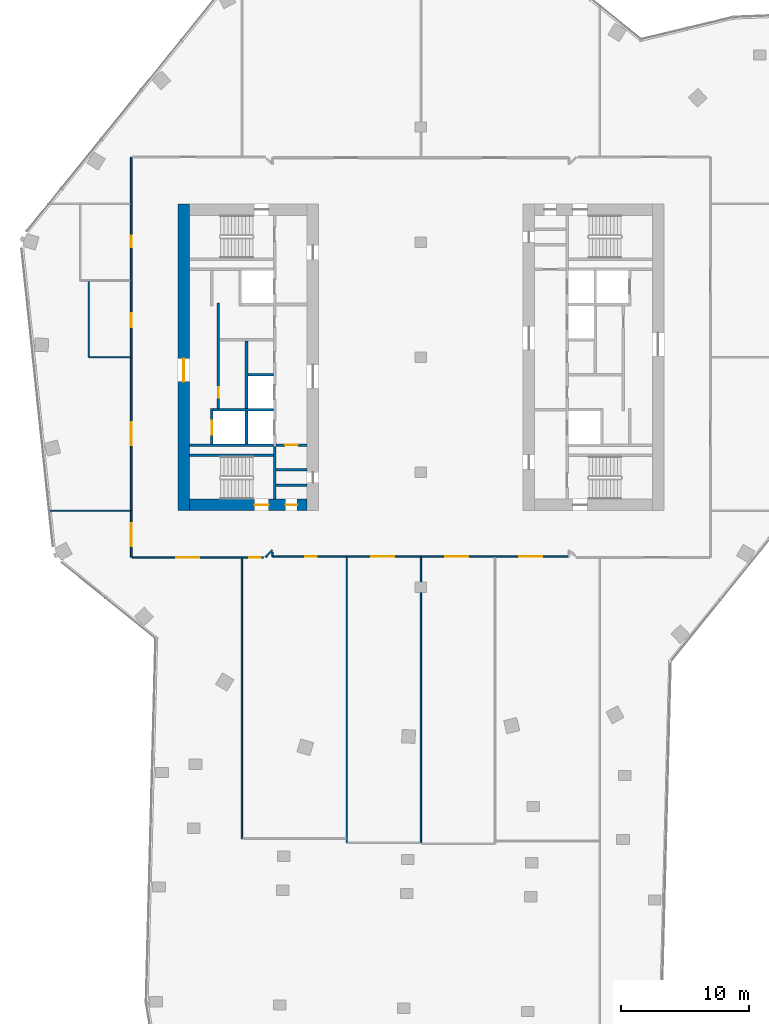
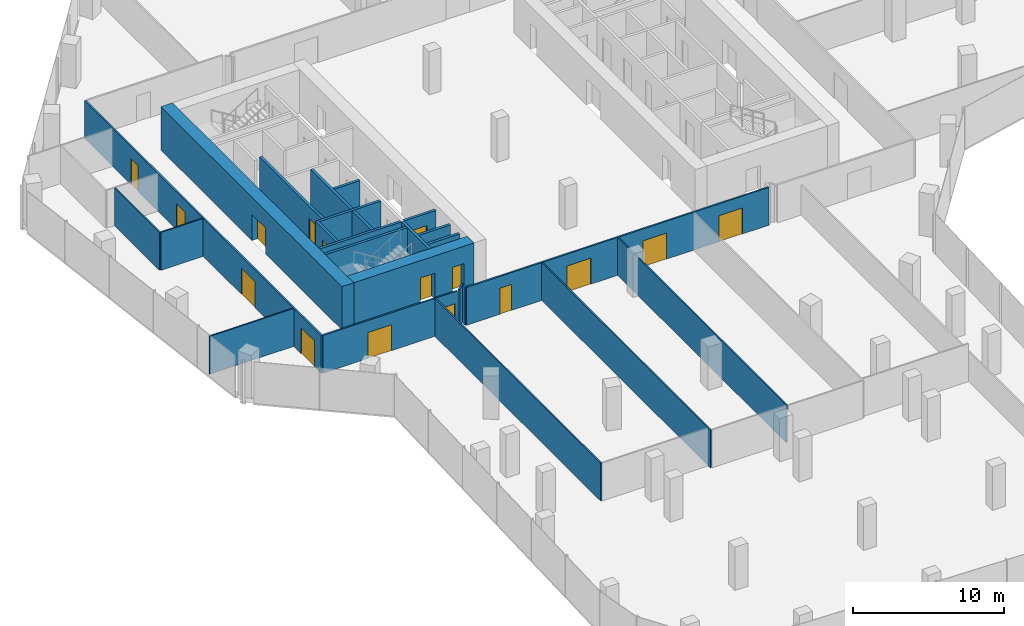
# One storey, part 20 of 26: 25 walls, 16 doors, 16 openings.
"""IFC4 building model written with IfcOpenShell, lengths in metres."""

from ifc_helpers import new_model, si_unit, direction, frame, frame_2d, origin, place, context, subcontext, project, spatial, rectangle, extrude, material, layer, layer_set, type_object, element, fill, save


model = new_model("IFC4")

# Units and contexts
model_context = context("Model", 3, precision=1e-05, world=origin(), true_north=direction((0.0, 1.0)))
body_context = subcontext(model_context, "Body", "Model", "MODEL_VIEW")
ifc_project = project(units=[si_unit("LENGTHUNIT", "METRE"), si_unit("AREAUNIT", "SQUARE_METRE"), si_unit("VOLUMEUNIT", "CUBIC_METRE"), si_unit("PLANEANGLEUNIT", "RADIAN"), si_unit("MASSUNIT", "GRAM", prefix="KILO")], contexts=[model_context])

# Site, building, storey
site_placement = place(None, origin())
site = spatial("IfcSite", under=ifc_project, at=site_placement, CompositionType="ELEMENT")
building_placement = place(site_placement, origin())
building = spatial("IfcBuilding", under=site, at=building_placement, Name="Orlundy Tower", CompositionType="ELEMENT")
storey_placement = place(building_placement, frame((0.0, 0.0, 214.0)))
storey = spatial("IfcBuildingStorey", under=building, at=storey_placement, Name="L56", CompositionType="ELEMENT", Elevation=214.0)

# Wall, openings, doors
ifc_material_1 = material(Name="Concrete C60/75", Category="concrete")
ifc_layer_1 = layer(ifc_material_1, 0.89990234375)
ifc_layer_set_1 = layer_set([ifc_layer_1], Name="CORE WALL 900 C60/75")
wall_type_1 = type_object("IfcWallType", Name="CORE WALL 900 C60/75", PredefinedType="SHEAR", material=ifc_layer_set_1)
wall_1_placement = place(storey_placement, frame((-18.10009765625, -11.550048828125, 0.0), z_axis=(0.0, 0.0, 1.0), x_axis=(1.0, 0.0, 0.0)))
wall_1 = element("IfcWall", 1, at=wall_1_placement, inside=storey, type_object=wall_type_1, Name="Core wall W-S L56", PredefinedType="SHEAR", context=body_context, shape_type="SweptSolid", body=[
    extrude(rectangle(XDim=9.2001953125, YDim=0.89990234375, at=frame_2d((4.60009765625, 0.0))), origin(), (0.0, 0.0, 1.0), 3.5),
])
opening_1_placement = place(wall_1_placement, frame((5.10009765625, 0.0, 0.0)))
opening_1 = element("IfcOpeningElement", 2, at=opening_1_placement, cuts=wall_1, Name="Opening 43012", PredefinedType="OPENING", context=body_context, shape_type="SweptSolid", body=[
    extrude(rectangle(XDim=1.10009765625, YDim=2.10009765625, at=frame_2d((0.550048828125, 1.050048828125))), frame((0.0, 0.4599609375, 0.0), z_axis=(0.0, -1.0, 0.0), x_axis=(1.0, 0.0, 0.0)), (0.0, 0.0, 1.0), 0.919921875),
])
opening_2_placement = place(wall_1_placement, frame((7.530029296875, 0.0, 0.0)))
opening_2 = element("IfcOpeningElement", 3, at=opening_2_placement, cuts=wall_1, Name="Opening 43014", PredefinedType="OPENING", context=body_context, shape_type="SweptSolid", body=[
    extrude(rectangle(XDim=0.89990234375, YDim=2.10009765625, at=frame_2d((0.449951171875, 1.050048828125))), frame((0.0, 0.4599609375, 0.0), z_axis=(0.0, -1.0, 0.0), x_axis=(1.0, 0.0, 0.0)), (0.0, 0.0, 1.0), 0.919921875),
])
ifc_material_2 = material(Name="Timber door set", Category="wood")
door_type_1 = type_object("IfcDoorType", Name="Room Door 900x2100", OperationType="SINGLE_SWING_LEFT", PredefinedType="DOOR", material=ifc_material_2)
door_1_placement = place(opening_2_placement, origin())
door_1 = element("IfcDoor", 4, at=door_1_placement, inside=storey, type_object=door_type_1, Name="Store door 43014", OperationType="SINGLE_SWING_RIGHT", OverallHeight=2.10009765625, OverallWidth=0.89990234375, PredefinedType="DOOR", context=body_context, shape_type="SweptSolid", body=[
    extrude(rectangle(XDim=0.89990234375, YDim=2.10009765625, at=frame_2d((0.449951171875, 1.050048828125))), frame((0.0, 0.02490234375, 0.0), z_axis=(0.0, -1.0, 0.0), x_axis=(1.0, 0.0, 0.0)), (0.0, 0.0, 1.0), 0.050048828125),
])
fill(opening_2, door_1)
ifc_material_3 = material(Name="Steel door set", Category="steel")
door_type_2 = type_object("IfcDoorType", Name="Stair Door 1100x2100", OperationType="SINGLE_SWING_LEFT", PredefinedType="DOOR", material=ifc_material_3)
door_2_placement = place(opening_1_placement, origin())
door_2 = element("IfcDoor", 5, at=door_2_placement, inside=storey, type_object=door_type_2, Name="Stair door 43012", OperationType="SINGLE_SWING_RIGHT", OverallHeight=2.10009765625, OverallWidth=1.10009765625, PredefinedType="DOOR", context=body_context, shape_type="SweptSolid", body=[
    extrude(rectangle(XDim=1.10009765625, YDim=2.10009765625, at=frame_2d((0.550048828125, 1.050048828125))), frame((0.0, 0.02490234375, 0.0), z_axis=(0.0, -1.0, 0.0), x_axis=(1.0, 0.0, 0.0)), (0.0, 0.0, 1.0), 0.050048828125),
])
fill(opening_1, door_2)

# Wall, opening, door
wall_2_placement = place(storey_placement, frame((-18.550048828125, -12.0, 0.0), z_axis=(0.0, 0.0, 1.0), x_axis=(0.0, 1.0, 0.0)))
wall_2 = element("IfcWall", 6, at=wall_2_placement, inside=storey, type_object=wall_type_1, Name="Core wall W-W L56", PredefinedType="SHEAR", context=body_context, shape_type="SweptSolid", body=[
    extrude(rectangle(XDim=24.0, YDim=0.89990234375, at=frame_2d((12.0, 0.0))), origin(), (0.0, 0.0, 1.0), 3.5),
])
opening_3_placement = place(wall_2_placement, frame((10.10009765625, 0.0, 0.0)))
opening_3 = element("IfcOpeningElement", 7, at=opening_3_placement, cuts=wall_2, Name="Opening 43009", PredefinedType="OPENING", context=body_context, shape_type="SweptSolid", body=[
    extrude(rectangle(XDim=1.800048828125, YDim=2.10009765625, at=frame_2d((0.89990234375, 1.050048828125))), frame((0.0, 0.4599609375, 0.0), z_axis=(0.0, -1.0, 0.0), x_axis=(1.0, 0.0, 0.0)), (0.0, 0.0, 1.0), 0.919921875),
])
ifc_material_4 = material(Name="Timber door set", Category="wood")
door_type_3 = type_object("IfcDoorType", Name="Lobby Door 1800x2100", OperationType="DOUBLE_DOOR_DOUBLE_SWING", PredefinedType="DOOR", material=ifc_material_4)
door_3_placement = place(opening_3_placement, origin())
door_3 = element("IfcDoor", 8, at=door_3_placement, inside=storey, type_object=door_type_3, Name="Lift lobby door 43009", OperationType="SINGLE_SWING_LEFT", OverallHeight=2.10009765625, OverallWidth=1.800048828125, PredefinedType="DOOR", context=body_context, shape_type="SweptSolid", body=[
    extrude(rectangle(XDim=1.800048828125, YDim=2.10009765625, at=frame_2d((0.89990234375, 1.050048828125))), frame((0.0, 0.02490234375, 0.0), z_axis=(0.0, -1.0, 0.0), x_axis=(1.0, 0.0, 0.0)), (0.0, 0.0, 1.0), 0.050048828125),
])
fill(opening_3, door_3)

# Walls
ifc_material_5 = material(Name="Gypsum board partition")
ifc_layer_2 = layer(ifc_material_5, 0.10009765625)
ifc_layer_set_2 = layer_set([ifc_layer_2], Name="Floor partition 100")
wall_type_2 = type_object("IfcWallType", Name="Floor partition 100", PredefinedType="PARTITIONING", material=ifc_layer_set_2)
wall_3_placement = place(storey_placement, frame((-29.156005859375, -12.0, 0.0), z_axis=(0.0, 0.0, 1.0), x_axis=(1.0, 0.0, 0.0)))
element("IfcWall", 9, at=wall_3_placement, inside=storey, type_object=wall_type_2, Name="wall-int-L56-011", PredefinedType="PARTITIONING", context=body_context, shape_type="SweptSolid", body=[
    extrude(rectangle(XDim=6.444091796875, YDim=0.10009765625, at=frame_2d((3.22216796875, 0.0))), origin(), (0.0, 0.0, 1.0), 3.06005859375),
])
wall_4_placement = place(storey_placement, frame((-25.930908203125, 0.0009765625, 0.0), z_axis=(0.0, 0.0, 1.0), x_axis=(1.0, 0.0, 0.0)))
element("IfcWall", 10, at=wall_4_placement, inside=storey, type_object=wall_type_2, Name="wall-int-L56-013", PredefinedType="PARTITIONING", context=body_context, shape_type="SweptSolid", body=[
    extrude(rectangle(XDim=3.218994140625, YDim=0.10009765625, at=frame_2d((1.609375, 0.0))), origin(), (0.0, 0.0, 1.0), 3.06005859375),
])
for number, where, z_axis, x_axis, name in (
    (11, (0.0, -37.985107421875, 0.0), (0.0, 0.0, 1.0), (0.0, 1.0, 0.0), "wall-int-L56-030"),
    (12, (-5.799072265625, -37.985107421875, 0.0), (0.0, 0.0, 1.0), (0.0, 1.0, 0.0), "wall-int-L56-032"),
):
    element("IfcWall", number, at=place(storey_placement, frame(where, z_axis=z_axis, x_axis=x_axis)), inside=storey, type_object=wall_type_2, Name=name, PredefinedType="PARTITIONING", context=body_context, shape_type="SweptSolid", body=[
        extrude(rectangle(XDim=22.322998046875, YDim=0.10009765625, at=frame_2d((11.16162109375, 0.0))), origin(), (0.0, 0.0, 1.0), 3.06005859375),
    ])
wall_5_placement = place(storey_placement, frame((-14.0, -37.655029296875, 0.0), z_axis=(0.0, 0.0, 1.0), x_axis=(0.0, 1.0, 0.0)))
element("IfcWall", 13, at=wall_5_placement, inside=storey, type_object=wall_type_2, Name="wall-int-L56-033", PredefinedType="PARTITIONING", context=body_context, shape_type="SweptSolid", body=[
    extrude(rectangle(XDim=21.942138671875, YDim=0.10009765625, at=frame_2d((10.97119140625, 0.0))), origin(), (0.0, 0.0, 1.0), 3.06005859375),
])
wall_6_placement = place(storey_placement, frame((-25.98193359375, 0.001953125, 0.0), z_axis=(0.0, 0.0, 1.0), x_axis=(0.0, 1.0, 0.0)))
element("IfcWall", 14, at=wall_6_placement, inside=storey, type_object=wall_type_2, Name="wall-int-L56-036", PredefinedType="PARTITIONING", context=body_context, shape_type="SweptSolid", body=[
    extrude(rectangle(XDim=5.948974609375, YDim=0.10009765625, at=frame_2d((2.974609375, 0.0))), origin(), (0.0, 0.0, 1.0), 3.06005859375),
])
ifc_material_6 = material(Name="Gypsum board partition, double layer")
ifc_layer_3 = layer(ifc_material_6, 0.125)
ifc_layer_set_3 = layer_set([ifc_layer_3], Name="Floor partition 125")
wall_type_3 = type_object("IfcWallType", Name="Floor partition 125", PredefinedType="PARTITIONING", material=ifc_layer_set_3)
wall_7_placement = place(storey_placement, frame((-11.60107421875, -15.241943359375, 0.0), z_axis=(0.0, 0.0, 1.0), x_axis=(0.002726642898, -0.999996282702, 0.0)))
element("IfcWall", 15, at=wall_7_placement, inside=storey, type_object=wall_type_3, Name="wall-int-L56-001", PredefinedType="PARTITIONING", context=body_context, shape_type="SweptSolid", body=[
    extrude(rectangle(XDim=0.358154296875, YDim=0.125, at=frame_2d((0.17919921875, 0.0))), origin(), (0.0, 0.0, 1.0), 3.06005859375),
])

# Wall, openings, doors
wall_8_placement = place(storey_placement, frame((-12.31103515625, -15.65087890625, 0.0), z_axis=(0.0, 0.0, 1.0), x_axis=(-1.0, 0.0, 0.0)))
wall_8 = element("IfcWall", 16, at=wall_8_placement, inside=storey, type_object=wall_type_3, Name="wall-int-L56-008", PredefinedType="PARTITIONING", context=body_context, shape_type="SweptSolid", body=[
    extrude(rectangle(XDim=10.27587890625, YDim=0.125, at=frame_2d((5.137939453125, 0.0))), origin(), (0.0, 0.0, 1.0), 3.06005859375),
])
opening_4_placement = place(wall_8_placement, frame((5.0390625, 0.0, 0.0)))
opening_4 = element("IfcOpeningElement", 17, at=opening_4_placement, cuts=wall_8, Name="Opening 43101", PredefinedType="OPENING", context=body_context, shape_type="SweptSolid", body=[
    extrude(rectangle(XDim=1.800048828125, YDim=2.10009765625, at=frame_2d((0.89990234375, 1.050048828125))), frame((0.0, 0.072509765625, 0.0), z_axis=(0.0, -1.0, 0.0), x_axis=(1.0, 0.0, 0.0)), (0.0, 0.0, 1.0), 0.14501953125),
])
opening_5_placement = place(wall_8_placement, frame((0.19921875, 0.0, 0.0)))
opening_5 = element("IfcOpeningElement", 18, at=opening_5_placement, cuts=wall_8, Name="Opening 43102", PredefinedType="OPENING", context=body_context, shape_type="SweptSolid", body=[
    extrude(rectangle(XDim=0.89990234375, YDim=2.10009765625, at=frame_2d((0.449951171875, 1.050048828125))), frame((0.0, 0.072509765625, 0.0), z_axis=(0.0, -1.0, 0.0), x_axis=(1.0, 0.0, 0.0)), (0.0, 0.0, 1.0), 0.14501953125),
])
ifc_material_7 = material(Name="Timber door leaf", Category="wood")
door_type_4 = type_object("IfcDoorType", Name="Floor door double 1800 FD30S", OperationType="NOTDEFINED", PredefinedType="DOOR", material=ifc_material_7)
door_4_placement = place(opening_4_placement, origin())
door_4 = element("IfcDoor", 19, at=door_4_placement, inside=storey, type_object=door_type_4, Name="Door 43101", OperationType="DOUBLE_DOOR_SINGLE_SWING", OverallHeight=2.10009765625, OverallWidth=1.800048828125, PredefinedType="DOOR", context=body_context, shape_type="SweptSolid", body=[
    extrude(rectangle(XDim=1.800048828125, YDim=2.10009765625, at=frame_2d((0.89990234375, 1.050048828125))), frame((0.0, 0.02490234375, 0.0), z_axis=(0.0, -1.0, 0.0), x_axis=(1.0, 0.0, 0.0)), (0.0, 0.0, 1.0), 0.050048828125),
])
fill(opening_4, door_4)
ifc_material_8 = material(Name="Timber door leaf", Category="wood")
door_type_5 = type_object("IfcDoorType", Name="Floor door single 900 FD30S", OperationType="NOTDEFINED", PredefinedType="DOOR", material=ifc_material_8)
door_5_placement = place(opening_5_placement, origin())
door_5 = element("IfcDoor", 20, at=door_5_placement, inside=storey, type_object=door_type_5, Name="Door 43102", OperationType="SINGLE_SWING_LEFT", OverallHeight=2.10009765625, OverallWidth=0.89990234375, PredefinedType="DOOR", context=body_context, shape_type="SweptSolid", body=[
    extrude(rectangle(XDim=0.89990234375, YDim=2.10009765625, at=frame_2d((0.449951171875, 1.050048828125))), frame((0.0, 0.02490234375, 0.0), z_axis=(0.0, -1.0, 0.0), x_axis=(1.0, 0.0, 0.0)), (0.0, 0.0, 1.0), 0.050048828125),
])
fill(opening_5, door_5)

wall_9_placement = place(storey_placement, frame((11.5390625, -15.60009765625, 0.0), z_axis=(0.0, 0.0, 1.0), x_axis=(-1.0, 0.0, 0.0)))
wall_9 = element("IfcWall", 21, at=wall_9_placement, inside=storey, type_object=wall_type_3, Name="wall-int-L56-010", PredefinedType="PARTITIONING", context=body_context, shape_type="SweptSolid", body=[
    extrude(rectangle(XDim=23.13916015625, YDim=0.125, at=frame_2d((11.569580078125, 0.0))), origin(), (0.0, 0.0, 1.0), 3.06005859375),
])
opening_6_placement = place(wall_9_placement, frame((19.6875, 0.0, 0.0)))
opening_6 = element("IfcOpeningElement", 22, at=opening_6_placement, cuts=wall_9, Name="Opening 43103", PredefinedType="OPENING", context=body_context, shape_type="SweptSolid", body=[
    extrude(rectangle(XDim=0.89990234375, YDim=2.10009765625, at=frame_2d((0.449951171875, 1.050048828125))), frame((0.0, 0.072509765625, 0.0), z_axis=(0.0, -1.0, 0.0), x_axis=(1.0, 0.0, 0.0)), (0.0, 0.0, 1.0), 0.14501953125),
])
opening_7_placement = place(wall_9_placement, frame((13.638427734375, 0.0, 0.0)))
opening_7 = element("IfcOpeningElement", 23, at=opening_7_placement, cuts=wall_9, Name="Opening 43104", PredefinedType="OPENING", context=body_context, shape_type="SweptSolid", body=[
    extrude(rectangle(XDim=1.800048828125, YDim=2.10009765625, at=frame_2d((0.89990234375, 1.050048828125))), frame((0.0, 0.072509765625, 0.0), z_axis=(0.0, -1.0, 0.0), x_axis=(1.0, 0.0, 0.0)), (0.0, 0.0, 1.0), 0.14501953125),
])
opening_8_placement = place(wall_9_placement, frame((7.83837890625, 0.0, 0.0)))
opening_8 = element("IfcOpeningElement", 24, at=opening_8_placement, cuts=wall_9, Name="Opening 43105", PredefinedType="OPENING", context=body_context, shape_type="SweptSolid", body=[
    extrude(rectangle(XDim=1.800048828125, YDim=2.10009765625, at=frame_2d((0.89990234375, 1.050048828125))), frame((0.0, 0.072509765625, 0.0), z_axis=(0.0, -1.0, 0.0), x_axis=(1.0, 0.0, 0.0)), (0.0, 0.0, 1.0), 0.14501953125),
])
opening_9_placement = place(wall_9_placement, frame((2.03759765625, 0.0, 0.0)))
opening_9 = element("IfcOpeningElement", 25, at=opening_9_placement, cuts=wall_9, Name="Opening 43106", PredefinedType="OPENING", context=body_context, shape_type="SweptSolid", body=[
    extrude(rectangle(XDim=1.800048828125, YDim=2.10009765625, at=frame_2d((0.89990234375, 1.050048828125))), frame((0.0, 0.072509765625, 0.0), z_axis=(0.0, -1.0, 0.0), x_axis=(1.0, 0.0, 0.0)), (0.0, 0.0, 1.0), 0.14501953125),
])
door_6_placement = place(opening_7_placement, origin())
door_6 = element("IfcDoor", 26, at=door_6_placement, inside=storey, type_object=door_type_4, Name="Door 43104", OperationType="DOUBLE_DOOR_SINGLE_SWING", OverallHeight=2.10009765625, OverallWidth=1.800048828125, PredefinedType="DOOR", context=body_context, shape_type="SweptSolid", body=[
    extrude(rectangle(XDim=1.800048828125, YDim=2.10009765625, at=frame_2d((0.89990234375, 1.050048828125))), frame((0.0, 0.02490234375, 0.0), z_axis=(0.0, -1.0, 0.0), x_axis=(1.0, 0.0, 0.0)), (0.0, 0.0, 1.0), 0.050048828125),
])
fill(opening_7, door_6)
door_7_placement = place(opening_8_placement, origin())
door_7 = element("IfcDoor", 27, at=door_7_placement, inside=storey, type_object=door_type_4, Name="Door 43105", OperationType="DOUBLE_DOOR_SINGLE_SWING", OverallHeight=2.10009765625, OverallWidth=1.800048828125, PredefinedType="DOOR", context=body_context, shape_type="SweptSolid", body=[
    extrude(rectangle(XDim=1.800048828125, YDim=2.10009765625, at=frame_2d((0.89990234375, 1.050048828125))), frame((0.0, 0.02490234375, 0.0), z_axis=(0.0, -1.0, 0.0), x_axis=(1.0, 0.0, 0.0)), (0.0, 0.0, 1.0), 0.050048828125),
])
fill(opening_8, door_7)
door_8_placement = place(opening_9_placement, origin())
door_8 = element("IfcDoor", 28, at=door_8_placement, inside=storey, type_object=door_type_4, Name="Door 43106", OperationType="DOUBLE_DOOR_SINGLE_SWING", OverallHeight=2.10009765625, OverallWidth=1.800048828125, PredefinedType="DOOR", context=body_context, shape_type="SweptSolid", body=[
    extrude(rectangle(XDim=1.800048828125, YDim=2.10009765625, at=frame_2d((0.89990234375, 1.050048828125))), frame((0.0, 0.02490234375, 0.0), z_axis=(0.0, -1.0, 0.0), x_axis=(1.0, 0.0, 0.0)), (0.0, 0.0, 1.0), 0.050048828125),
])
fill(opening_9, door_8)
door_9_placement = place(opening_6_placement, origin())
door_9 = element("IfcDoor", 29, at=door_9_placement, inside=storey, type_object=door_type_5, Name="Door 43103", OperationType="SINGLE_SWING_RIGHT", OverallHeight=2.10009765625, OverallWidth=0.89990234375, PredefinedType="DOOR", context=body_context, shape_type="SweptSolid", body=[
    extrude(rectangle(XDim=0.89990234375, YDim=2.10009765625, at=frame_2d((0.449951171875, 1.050048828125))), frame((0.0, 0.02490234375, 0.0), z_axis=(0.0, -1.0, 0.0), x_axis=(1.0, 0.0, 0.0)), (0.0, 0.0, 1.0), 0.050048828125),
])
fill(opening_6, door_9)

# Wall
wall_10_placement = place(storey_placement, frame((-12.153076171875, -15.631103515625, 0.0), z_axis=(0.0, 0.0, 1.0), x_axis=(0.707106781187, 0.707106781187, 0.0)))
element("IfcWall", 30, at=wall_10_placement, inside=storey, type_object=wall_type_3, Name="wall-int-L56-021", PredefinedType="PARTITIONING", context=body_context, shape_type="SweptSolid", body=[
    extrude(rectangle(XDim=0.7509765625, YDim=0.125, at=frame_2d((0.37548828125, 0.0))), origin(), (0.0, 0.0, 1.0), 3.06005859375),
])

# Wall, openings, doors
wall_11_placement = place(storey_placement, frame((-22.64990234375, -15.65087890625, 0.0), z_axis=(0.0, 0.0, 1.0), x_axis=(0.0, 1.0, 0.0)))
wall_11 = element("IfcWall", 31, at=wall_11_placement, inside=storey, type_object=wall_type_3, Name="wall-int-L56-035", PredefinedType="PARTITIONING", context=body_context, shape_type="SweptSolid", body=[
    extrude(rectangle(XDim=31.3017578125, YDim=0.125, at=frame_2d((15.65087890625, 0.0))), origin(), (0.0, 0.0, 1.0), 3.06005859375),
])
opening_10_placement = place(wall_11_placement, frame((0.85009765625, 0.0, 0.0)))
opening_10 = element("IfcOpeningElement", 32, at=opening_10_placement, cuts=wall_11, Name="Opening 43100", PredefinedType="OPENING", context=body_context, shape_type="SweptSolid", body=[
    extrude(rectangle(XDim=1.800048828125, YDim=2.10009765625, at=frame_2d((0.89990234375, 1.050048828125))), frame((0.0, 0.072509765625, 0.0), z_axis=(0.0, -1.0, 0.0), x_axis=(1.0, 0.0, 0.0)), (0.0, 0.0, 1.0), 0.14501953125),
])
opening_11_placement = place(wall_11_placement, frame((8.7509765625, 0.0, 0.0)))
opening_11 = element("IfcOpeningElement", 33, at=opening_11_placement, cuts=wall_11, Name="Opening 43114", PredefinedType="OPENING", context=body_context, shape_type="SweptSolid", body=[
    extrude(rectangle(XDim=1.800048828125, YDim=2.10009765625, at=frame_2d((0.89990234375, 1.050048828125))), frame((0.0, 0.072509765625, 0.0), z_axis=(0.0, -1.0, 0.0), x_axis=(1.0, 0.0, 0.0)), (0.0, 0.0, 1.0), 0.14501953125),
])
opening_12_placement = place(wall_11_placement, frame((24.251953125, 0.0, 0.0)))
opening_12 = element("IfcOpeningElement", 34, at=opening_12_placement, cuts=wall_11, Name="Opening 43115", PredefinedType="OPENING", context=body_context, shape_type="SweptSolid", body=[
    extrude(rectangle(XDim=0.89990234375, YDim=2.10009765625, at=frame_2d((0.449951171875, 1.050048828125))), frame((0.0, 0.072509765625, 0.0), z_axis=(0.0, -1.0, 0.0), x_axis=(1.0, 0.0, 0.0)), (0.0, 0.0, 1.0), 0.14501953125),
])
opening_13_placement = place(wall_11_placement, frame((18.0029296875, 0.0, 0.0)))
opening_13 = element("IfcOpeningElement", 35, at=opening_13_placement, cuts=wall_11, Name="Opening 43116", PredefinedType="OPENING", context=body_context, shape_type="SweptSolid", body=[
    extrude(rectangle(XDim=1.10009765625, YDim=2.10009765625, at=frame_2d((0.550048828125, 1.050048828125))), frame((0.0, 0.072509765625, 0.0), z_axis=(0.0, -1.0, 0.0), x_axis=(1.0, 0.0, 0.0)), (0.0, 0.0, 1.0), 0.14501953125),
])
door_10_placement = place(opening_10_placement, origin())
door_10 = element("IfcDoor", 36, at=door_10_placement, inside=storey, type_object=door_type_4, Name="Door 43100", OperationType="DOUBLE_DOOR_SINGLE_SWING", OverallHeight=2.10009765625, OverallWidth=1.800048828125, PredefinedType="DOOR", context=body_context, shape_type="SweptSolid", body=[
    extrude(rectangle(XDim=1.800048828125, YDim=2.10009765625, at=frame_2d((0.89990234375, 1.050048828125))), frame((0.0, 0.02490234375, 0.0), z_axis=(0.0, -1.0, 0.0), x_axis=(1.0, 0.0, 0.0)), (0.0, 0.0, 1.0), 0.050048828125),
])
fill(opening_10, door_10)
door_11_placement = place(opening_11_placement, origin())
door_11 = element("IfcDoor", 37, at=door_11_placement, inside=storey, type_object=door_type_4, Name="Door 43114", OperationType="DOUBLE_DOOR_SINGLE_SWING", OverallHeight=2.10009765625, OverallWidth=1.800048828125, PredefinedType="DOOR", context=body_context, shape_type="SweptSolid", body=[
    extrude(rectangle(XDim=1.800048828125, YDim=2.10009765625, at=frame_2d((0.89990234375, 1.050048828125))), frame((0.0, 0.02490234375, 0.0), z_axis=(0.0, -1.0, 0.0), x_axis=(1.0, 0.0, 0.0)), (0.0, 0.0, 1.0), 0.050048828125),
])
fill(opening_11, door_11)
door_12_placement = place(opening_12_placement, origin())
door_12 = element("IfcDoor", 38, at=door_12_placement, inside=storey, type_object=door_type_5, Name="Door 43115", OperationType="SINGLE_SWING_RIGHT", OverallHeight=2.10009765625, OverallWidth=0.89990234375, PredefinedType="DOOR", context=body_context, shape_type="SweptSolid", body=[
    extrude(rectangle(XDim=0.89990234375, YDim=2.10009765625, at=frame_2d((0.449951171875, 1.050048828125))), frame((0.0, 0.02490234375, 0.0), z_axis=(0.0, -1.0, 0.0), x_axis=(1.0, 0.0, 0.0)), (0.0, 0.0, 1.0), 0.050048828125),
])
fill(opening_12, door_12)
ifc_material_9 = material(Name="Timber door leaf", Category="wood")
door_type_6 = type_object("IfcDoorType", Name="Floor door xwide 1100 FD30S", OperationType="NOTDEFINED", PredefinedType="DOOR", material=ifc_material_9)
door_13_placement = place(opening_13_placement, origin())
door_13 = element("IfcDoor", 39, at=door_13_placement, inside=storey, type_object=door_type_6, Name="Door 43116", OperationType="SINGLE_SWING_RIGHT", OverallHeight=2.10009765625, OverallWidth=1.10009765625, PredefinedType="DOOR", context=body_context, shape_type="SweptSolid", body=[
    extrude(rectangle(XDim=1.10009765625, YDim=2.10009765625, at=frame_2d((0.550048828125, 1.050048828125))), frame((0.0, 0.02490234375, 0.0), z_axis=(0.0, -1.0, 0.0), x_axis=(1.0, 0.0, 0.0)), (0.0, 0.0, 1.0), 0.050048828125),
])
fill(opening_13, door_13)

# Walls
ifc_material_10 = material(Name="Concrete C40/50", Category="concrete")
ifc_layer_4 = layer(ifc_material_10, 0.199951171875)
ifc_layer_set_4 = layer_set([ifc_layer_4], Name="Load-bearing Shaft Wall 200")
wall_type_4 = type_object("IfcWallType", Name="Load-bearing Shaft Wall 200", PredefinedType="SOLIDWALL", material=ifc_layer_set_4)
wall_12_placement = place(storey_placement, frame((-11.43994140625, -11.10009765625, 0.0), z_axis=(0.0, 0.0, 1.0), x_axis=(0.0, 1.0, 0.0)))
element("IfcWall", 40, at=wall_12_placement, inside=storey, type_object=wall_type_4, Name="Shaft wall W43-stair-end-s", PredefinedType="SOLIDWALL", context=body_context, shape_type="SweptSolid", body=[
    extrude(rectangle(XDim=4.125, YDim=0.199951171875, at=frame_2d((2.0625, 0.0))), origin(), (0.0, 0.0, 1.0), 3.080078125),
])
wall_13_placement = place(storey_placement, frame((-11.5400390625, -7.64990234375, 0.0), z_axis=(0.0, 0.0, 1.0), x_axis=(-1.0, 0.0, 0.0)))
element("IfcWall", 41, at=wall_13_placement, inside=storey, type_object=wall_type_4, Name="Shaft wall W43-stair-side-s", PredefinedType="SOLIDWALL", context=body_context, shape_type="SweptSolid", body=[
    extrude(rectangle(XDim=6.56005859375, YDim=0.199951171875, at=frame_2d((3.280029296875, 0.0))), origin(), (0.0, 0.0, 1.0), 3.080078125),
])

# Wall, opening, door
ifc_material_11 = material(Name="Gypsum board partition on steel studs", Category="steel")
ifc_layer_5 = layer(ifc_material_11, 0.199951171875)
ifc_layer_set_5 = layer_set([ifc_layer_5], Name="Partition 200")
wall_type_5 = type_object("IfcWallType", Name="Partition 200", PredefinedType="PARTITIONING", material=ifc_layer_set_5)
wall_14_placement = place(storey_placement, frame((-8.89990234375, -6.875, 0.0), z_axis=(0.0, 0.0, 1.0), x_axis=(-1.0, 0.0, 0.0)))
wall_14 = element("IfcWall", 42, at=wall_14_placement, inside=storey, type_object=wall_type_5, Name="Partition wall W43-end-s", PredefinedType="PARTITIONING", context=body_context, shape_type="SweptSolid", body=[
    extrude(rectangle(XDim=2.440185546875, YDim=0.199951171875, at=frame_2d((1.22021484375, 0.0))), origin(), (0.0, 0.0, 1.0), 3.080078125),
])
opening_14_placement = place(wall_14_placement, frame((0.719970703125, 0.0, 0.0)))
opening_14 = element("IfcOpeningElement", 43, at=opening_14_placement, cuts=wall_14, Name="Opening 43016", PredefinedType="OPENING", context=body_context, shape_type="SweptSolid", body=[
    extrude(rectangle(XDim=1.0, YDim=2.10009765625, at=frame_2d((0.5, 1.050048828125))), frame((0.0, 0.110107421875, 0.0), z_axis=(0.0, -1.0, 0.0), x_axis=(1.0, 0.0, 0.0)), (0.0, 0.0, 1.0), 0.22021484375),
])
ifc_material_12 = material(Name="Timber door set", Category="wood")
door_type_7 = type_object("IfcDoorType", Name="Accessible Door 1000x2100", OperationType="SINGLE_SWING_LEFT", PredefinedType="DOOR", material=ifc_material_12)
door_14_placement = place(opening_14_placement, origin())
door_14 = element("IfcDoor", 44, at=door_14_placement, inside=storey, type_object=door_type_7, Name="Accessible WC door 43016", OperationType="SINGLE_SWING_RIGHT", OverallHeight=2.10009765625, OverallWidth=1.0, PredefinedType="DOOR", context=body_context, shape_type="SweptSolid", body=[
    extrude(rectangle(XDim=1.0, YDim=2.10009765625, at=frame_2d((0.5, 1.050048828125))), frame((0.0, 0.02490234375, 0.0), z_axis=(0.0, -1.0, 0.0), x_axis=(1.0, 0.0, 0.0)), (0.0, 0.0, 1.0), 0.050048828125),
])
fill(opening_14, door_14)

# Walls
for number, where, z_axis, x_axis, name in (
    (45, (-8.89990234375, -10.0, 0.0), (0.0, 0.0, 1.0), (-1.0, 0.0, 0.0), "Partition wall W43-room-s0"),
    (46, (-8.89990234375, -8.800048828125, 0.0), (0.0, 0.0, 1.0), (-1.0, 0.0, 0.0), "Partition wall W43-room-s1"),
):
    element("IfcWall", number, at=place(storey_placement, frame(where, z_axis=z_axis, x_axis=x_axis)), inside=storey, type_object=wall_type_5, Name=name, PredefinedType="PARTITIONING", context=body_context, shape_type="SweptSolid", body=[
        extrude(rectangle(XDim=2.440185546875, YDim=0.199951171875, at=frame_2d((1.22021484375, 0.0))), origin(), (0.0, 0.0, 1.0), 3.080078125),
    ])
ifc_material_13 = material(Name="Fire-rated blockwork shaft wall", Category="masonry")
ifc_layer_6 = layer(ifc_material_13, 0.199951171875)
ifc_layer_set_6 = layer_set([ifc_layer_6], Name="Shaft Wall 200")
wall_type_6 = type_object("IfcWallType", Name="Shaft Wall 200", PredefinedType="SOLIDWALL", material=ifc_layer_set_6)
wall_15_placement = place(storey_placement, frame((-11.5400390625, -6.875, 0.0), z_axis=(0.0, 0.0, 1.0), x_axis=(-1.0, 0.0, 0.0)))
element("IfcWall", 47, at=wall_15_placement, inside=storey, type_object=wall_type_6, Name="Shaft wall W43-zone-s", PredefinedType="SOLIDWALL", context=body_context, shape_type="SweptSolid", body=[
    extrude(rectangle(XDim=6.56005859375, YDim=0.199951171875, at=frame_2d((3.280029296875, 0.0))), origin(), (0.0, 0.0, 1.0), 3.080078125),
])
wall_16_placement = place(storey_placement, frame((-11.5400390625, -4.125, 0.0), z_axis=(0.0, 0.0, 1.0), x_axis=(-1.0, 0.0, 0.0)))
element("IfcWall", 48, at=wall_16_placement, inside=storey, type_object=wall_type_6, Name="Shaft wall W43-cross-4.125", PredefinedType="SOLIDWALL", context=body_context, shape_type="SweptSolid", body=[
    extrude(rectangle(XDim=4.699951171875, YDim=0.199951171875, at=frame_2d((2.35009765625, 0.0))), origin(), (0.0, 0.0, 1.0), 3.080078125),
])
wall_17_placement = place(storey_placement, frame((-11.5400390625, -1.375, 0.0), z_axis=(0.0, 0.0, 1.0), x_axis=(-1.0, 0.0, 0.0)))
element("IfcWall", 49, at=wall_17_placement, inside=storey, type_object=wall_type_6, Name="Shaft wall W43-cross-1.375", PredefinedType="SOLIDWALL", context=body_context, shape_type="SweptSolid", body=[
    extrude(rectangle(XDim=2.0, YDim=0.199951171875, at=frame_2d((1.0, 0.0))), origin(), (0.0, 0.0, 1.0), 3.080078125),
])
wall_18_placement = place(storey_placement, frame((-13.639892578125, -6.77490234375, 0.0), z_axis=(0.0, 0.0, 1.0), x_axis=(0.0, 1.0, 0.0)))
element("IfcWall", 50, at=wall_18_placement, inside=storey, type_object=wall_type_6, Name="Shaft wall W43-mid-a", PredefinedType="SOLIDWALL", context=body_context, shape_type="SweptSolid", body=[
    extrude(rectangle(XDim=2.5498046875, YDim=0.199951171875, at=frame_2d((1.27490234375, 0.0))), origin(), (0.0, 0.0, 1.0), 3.080078125),
])
wall_19_placement = place(storey_placement, frame((-13.639892578125, -4.02490234375, 0.0), z_axis=(0.0, 0.0, 1.0), x_axis=(0.0, 1.0, 0.0)))
element("IfcWall", 51, at=wall_19_placement, inside=storey, type_object=wall_type_6, Name="Shaft wall W43-mid-a.1", PredefinedType="SOLIDWALL", context=body_context, shape_type="SweptSolid", body=[
    extrude(rectangle(XDim=5.2998046875, YDim=0.199951171875, at=frame_2d((2.64990234375, 0.0))), origin(), (0.0, 0.0, 1.0), 3.080078125),
])

# Wall, opening, door
wall_20_placement = place(storey_placement, frame((-16.340087890625, -6.77490234375, 0.0), z_axis=(0.0, 0.0, 1.0), x_axis=(0.0, 1.0, 0.0)))
wall_20 = element("IfcWall", 52, at=wall_20_placement, inside=storey, type_object=wall_type_6, Name="Shaft wall W43-front-o-a", PredefinedType="SOLIDWALL", context=body_context, shape_type="SweptSolid", body=[
    extrude(rectangle(XDim=2.75, YDim=0.199951171875, at=frame_2d((1.375, 0.0))), origin(), (0.0, 0.0, 1.0), 3.080078125),
])
opening_15_placement = place(wall_20_placement, frame((0.72509765625, 0.0, 0.0)))
opening_15 = element("IfcOpeningElement", 53, at=opening_15_placement, cuts=wall_20, Name="Opening 43002", PredefinedType="OPENING", context=body_context, shape_type="SweptSolid", body=[
    extrude(rectangle(XDim=1.10009765625, YDim=2.10009765625, at=frame_2d((0.550048828125, 1.050048828125))), frame((0.0, 0.110107421875, 0.0), z_axis=(0.0, -1.0, 0.0), x_axis=(1.0, 0.0, 0.0)), (0.0, 0.0, 1.0), 0.22021484375),
])
ifc_material_14 = material(Name="Steel door set", Category="steel")
door_type_8 = type_object("IfcDoorType", Name="Landing Door 1100x2100", OperationType="DOUBLE_DOOR_SLIDING", PredefinedType="DOOR", material=ifc_material_14)
door_15_placement = place(opening_15_placement, origin())
door_15 = element("IfcDoor", 54, at=door_15_placement, inside=storey, type_object=door_type_8, Name="Lift landing door LV-01 43002", OperationType="DOUBLE_DOOR_SLIDING", OverallHeight=2.10009765625, OverallWidth=1.10009765625, PredefinedType="DOOR", context=body_context, shape_type="SweptSolid", body=[
    extrude(rectangle(XDim=1.10009765625, YDim=2.10009765625, at=frame_2d((0.550048828125, 1.050048828125))), frame((0.0, 0.02490234375, 0.0), z_axis=(0.0, -1.0, 0.0), x_axis=(1.0, 0.0, 0.0)), (0.0, 0.0, 1.0), 0.050048828125),
])
fill(opening_15, door_15)

wall_21_placement = place(storey_placement, frame((-15.840087890625, -4.02490234375, 0.0), z_axis=(0.0, 0.0, 1.0), x_axis=(0.0, 1.0, 0.0)))
wall_21 = element("IfcWall", 55, at=wall_21_placement, inside=storey, type_object=wall_type_6, Name="Shaft wall W43-front-o-b", PredefinedType="SOLIDWALL", context=body_context, shape_type="SweptSolid", body=[
    extrude(rectangle(XDim=8.25, YDim=0.199951171875, at=frame_2d((4.125, 0.0))), origin(), (0.0, 0.0, 1.0), 3.080078125),
])
opening_16_placement = place(wall_21_placement, frame((0.875, 0.0, 0.0)))
opening_16 = element("IfcOpeningElement", 56, at=opening_16_placement, cuts=wall_21, Name="Opening 43005", PredefinedType="OPENING", context=body_context, shape_type="SweptSolid", body=[
    extrude(rectangle(XDim=0.800048828125, YDim=2.10009765625, at=frame_2d((0.39990234375, 1.050048828125))), frame((0.0, 0.110107421875, 0.0), z_axis=(0.0, -1.0, 0.0), x_axis=(1.0, 0.0, 0.0)), (0.0, 0.0, 1.0), 0.22021484375),
])
ifc_material_15 = material(Name="Timber door set", Category="wood")
door_type_9 = type_object("IfcDoorType", Name="Riser Door 800x2100", OperationType="SINGLE_SWING_LEFT", PredefinedType="DOOR", material=ifc_material_15)
door_16_placement = place(opening_16_placement, origin())
door_16 = element("IfcDoor", 57, at=door_16_placement, inside=storey, type_object=door_type_9, Name="Printer Paper Store door 43005", OperationType="SINGLE_SWING_LEFT", OverallHeight=2.10009765625, OverallWidth=0.800048828125, PredefinedType="DOOR", context=body_context, shape_type="SweptSolid", body=[
    extrude(rectangle(XDim=0.800048828125, YDim=2.10009765625, at=frame_2d((0.39990234375, 1.050048828125))), frame((0.0, 0.02490234375, 0.0), z_axis=(0.0, -1.0, 0.0), x_axis=(1.0, 0.0, 0.0)), (0.0, 0.0, 1.0), 0.050048828125),
])
fill(opening_16, door_16)

save(model, "model.ifc")
